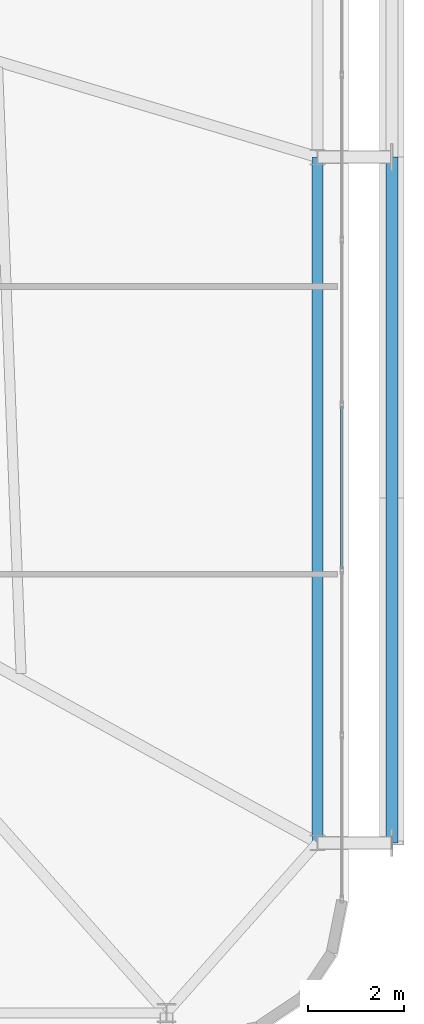
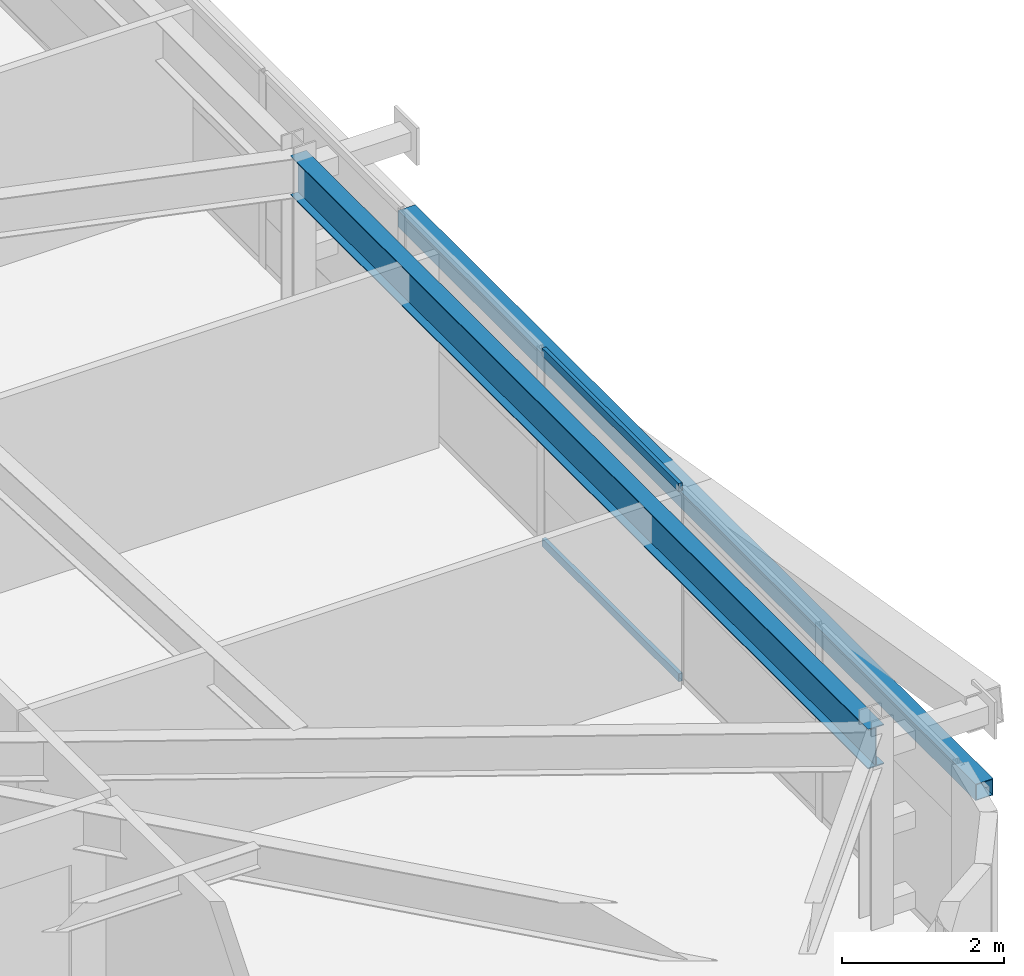
# One storey, part 27 of 59: 3 members, 1 beam, 1 element without a shape of its own.
"""IFC4 building model written with IfcOpenShell, lengths in metres."""

import ifcopenshell
import ifcopenshell.guid

model = None  # the IFC model being written
_history = None  # IfcOwnerHistory: only IFC2X3 demands one
_inside = {}  # id of a spatial element -> (the spatial element, [elements in it])
_under = {}  # id of a project, library or spatial element -> (it, [spatial elements below it])
_declared = {}  # id of a project -> (the project, [libraries it declares])
_typed = {}  # id of a type object -> (the type object, [elements of that type])
_made_of = {}  # id of a material, layer set ... -> (it, [elements and type objects made of it])


def new_model(schema):
    """Start an empty IFC model of exactly this schema.

    Asked for "IFC4X3", IfcOpenShell would pick the latest addendum, in which some entities
    have other attributes; the version numbers below select the first issue.
    IFC2X3 requires an IfcOwnerHistory on every rooted entity: one is made here for all.
    """
    global model, _history
    if schema == "IFC4X3":
        model = ifcopenshell.file(schema_version=(4, 3, 0, 0))
    else:
        model = ifcopenshell.file(schema=schema)
    _inside.clear()
    _under.clear()
    _declared.clear()
    _typed.clear()
    _made_of.clear()
    _history = None
    if model.schema == "IFC2X3":
        org = make("IfcOrganization", Name="unknown")
        user = make(
            "IfcPersonAndOrganization",
            ThePerson=make("IfcPerson", FamilyName="unknown"),
            TheOrganization=org,
        )
        app = make(
            "IfcApplication",
            ApplicationDeveloper=org,
            Version="unknown",
            ApplicationFullName="unknown",
            ApplicationIdentifier="unknown",
        )
        _history = make(
            "IfcOwnerHistory",
            OwningUser=user,
            OwningApplication=app,
            ChangeAction="ADDED",
            CreationDate=0,
        )
    return model


def make(cls, **values):
    """One entity of the class cls with the attributes given. An attribute that is None is left unset."""
    return model.create_entity(
        cls, **{name: value for name, value in values.items() if value is not None}
    )


def rooted(cls, **values):
    """An entity with a GlobalId (a new one), such as an element, a storey or a relation."""
    return make(cls, GlobalId=ifcopenshell.guid.new(), OwnerHistory=_history, **values)


def si_unit(unit_type, name, prefix=None):
    """IfcSIUnit, for example si_unit("LENGTHUNIT", "METRE", prefix="MILLI")."""
    return make("IfcSIUnit", UnitType=unit_type, Prefix=prefix, Name=name)


def assignment(units):
    """IfcUnitAssignment: the units of a project."""
    return None if units is None else make("IfcUnitAssignment", Units=units)


def point(xyz):
    """IfcCartesianPoint."""
    return None if xyz is None else make("IfcCartesianPoint", Coordinates=xyz)


def direction(xyz):
    """IfcDirection."""
    return None if xyz is None else make("IfcDirection", DirectionRatios=xyz)


def frame(location, z_axis=None, x_axis=None):
    """IfcAxis2Placement3D, a coordinate frame: its origin and axes. An axis left out is left unset."""
    return make(
        "IfcAxis2Placement3D",
        Location=point(location),
        Axis=direction(z_axis),
        RefDirection=direction(x_axis),
    )


def frame_2d(location, x_axis=None):
    """IfcAxis2Placement2D, a coordinate frame in the plane: its origin and x axis."""
    return make(
        "IfcAxis2Placement2D", Location=point(location), RefDirection=direction(x_axis)
    )


def origin():
    """The frame at (0, 0, 0) with its axes left unset."""
    return frame((0.0, 0.0, 0.0))


def origin_2d():
    """The frame at (0, 0) in the plane with its x axis left unset."""
    return frame_2d((0.0, 0.0))


def place(relative_to, where):
    """IfcLocalPlacement: puts the frame where relative to a parent placement (None: the world)."""
    return make(
        "IfcLocalPlacement", PlacementRelTo=relative_to, RelativePlacement=where
    )


def context(
    kind, dimensions, precision=None, world=None, true_north=None, identifier=None
):
    """IfcGeometricRepresentationContext, for example the 3D "Model" context."""
    return make(
        "IfcGeometricRepresentationContext",
        ContextIdentifier=identifier,
        ContextType=kind,
        CoordinateSpaceDimension=dimensions,
        Precision=precision,
        WorldCoordinateSystem=world,
        TrueNorth=true_north,
    )


def subcontext(parent, identifier, kind, view, scale=None):
    """IfcGeometricRepresentationSubContext, for example "Body" below "Model"."""
    return make(
        "IfcGeometricRepresentationSubContext",
        ContextIdentifier=identifier,
        ContextType=kind,
        ParentContext=parent,
        TargetScale=scale,
        TargetView=view,
    )


def project(units=None, contexts=None):
    """IfcProject with its units and contexts."""
    return rooted(
        "IfcProject",
        Name="project",
        RepresentationContexts=contexts,
        UnitsInContext=assignment(units),
    )


def spatial(cls, under=None, at=None, **own):
    """A site, building, storey or space (cls), placed at a placement, below another one or the project."""
    s = rooted(cls, ObjectPlacement=at, **own)
    if under is not None:
        _under.setdefault(under.id(), (under, []))[1].append(s)
    return s


def profile(cls, at=None, kind="AREA", **sizes):
    """A parametric profile (cls). Its sizes go by their IFC names, for example OverallWidth=200.0."""
    return make(cls, ProfileType=kind, Position=at, **sizes)


def hollow_rectangle(**sizes):
    """IfcRectangleHollowProfileDef."""
    return profile("IfcRectangleHollowProfileDef", **sizes)


def i_section(**sizes):
    """IfcIShapeProfileDef."""
    return profile("IfcIShapeProfileDef", **sizes)


def extrude(swept, where, along, depth):
    """IfcExtrudedAreaSolid: the profile swept, set in the frame where, extruded along a direction by depth."""
    return make(
        "IfcExtrudedAreaSolid",
        SweptArea=swept,
        Position=where,
        ExtrudedDirection=direction(along),
        Depth=depth,
    )


def shape(context_of_items, identifier, shape_type, items):
    """IfcShapeRepresentation: the items that make up one representation, for example the "Body"."""
    return make(
        "IfcShapeRepresentation",
        ContextOfItems=context_of_items,
        RepresentationIdentifier=identifier,
        RepresentationType=shape_type,
        Items=items,
    )


def source(mapping_origin, context_of_items, identifier, shape_type, items):
    """IfcRepresentationMap: a shape defined once, which mapped items show again and again."""
    return make(
        "IfcRepresentationMap",
        MappingOrigin=mapping_origin,
        MappedRepresentation=shape(context_of_items, identifier, shape_type, items),
    )


def transform(
    local_origin,
    x_axis=None,
    y_axis=None,
    z_axis=None,
    scale=None,
    scale2=None,
    scale3=None,
    uniform=True,
):
    """IfcCartesianTransformationOperator3D, or its non-uniform kind. x_axis, y_axis, z_axis: its Axis1, 2, 3."""
    if uniform:
        return make(
            "IfcCartesianTransformationOperator3D",
            Axis1=direction(x_axis),
            Axis2=direction(y_axis),
            LocalOrigin=point(local_origin),
            Scale=scale,
            Axis3=direction(z_axis),
        )
    return make(
        "IfcCartesianTransformationOperator3DnonUniform",
        Axis1=direction(x_axis),
        Axis2=direction(y_axis),
        LocalOrigin=point(local_origin),
        Scale=scale,
        Axis3=direction(z_axis),
        Scale2=scale2,
        Scale3=scale3,
    )


def mapped(mapping_source, mapping_target):
    """IfcMappedItem: shows the shape of a source again, moved by a transform."""
    return make(
        "IfcMappedItem", MappingSource=mapping_source, MappingTarget=mapping_target
    )


def material(Name=None, Category=None):
    """IfcMaterial."""
    return make("IfcMaterial", Name=Name, Category=Category)


def layer(
    of_material, thickness, ventilated=None, Name=None, Category=None, Priority=None
):
    """IfcMaterialLayer: one layer of a wall or slab, of a material (None: an air gap)."""
    return make(
        "IfcMaterialLayer",
        Material=of_material,
        LayerThickness=thickness,
        IsVentilated=ventilated,
        Name=Name,
        Category=Category,
        Priority=Priority,
    )


def layer_set(layers, Name=None):
    """IfcMaterialLayerSet."""
    return make("IfcMaterialLayerSet", MaterialLayers=layers, LayerSetName=Name)


def material_profile(
    of_material, cross_section, Name=None, Category=None, Priority=None
):
    """IfcMaterialProfile: a cross section and its material."""
    return make(
        "IfcMaterialProfile",
        Name=Name,
        Material=of_material,
        Profile=cross_section,
        Priority=Priority,
        Category=Category,
    )


def profile_set(profiles, Name=None, composite=None):
    """IfcMaterialProfileSet."""
    return make(
        "IfcMaterialProfileSet",
        Name=Name,
        MaterialProfiles=profiles,
        CompositeProfile=composite,
    )


def made_of(thing, what):
    """Note that an element or type object is made of a material, layer set ...; save() writes the relation."""
    if what is not None:
        _made_of.setdefault(what.id(), (what, []))[1].append(thing)
    return thing


def type_object(cls, material=None, **own):
    """A type object (cls), such as IfcWallType, which elements share."""
    return made_of(rooted(cls, **own), material)


def element(
    cls,
    number,
    at=None,
    inside=None,
    cuts=None,
    type_object=None,
    material=None,
    context=None,
    identifier="Body",
    shape_type=None,
    held_by="IfcProductDefinitionShape",
    body=None,
    shapes=None,
    **own,
):
    """One element of the class cls, such as IfcWall. Its Tag is "e" and its number.

    at: its placement. inside: the storey or other place that contains it. cuts: it is an
    opening in that element (IfcRelVoidsElement). A single representation is given by context,
    identifier, shape_type and body (its items); several are given by shapes. held_by: the class
    of the entity that holds the representations. save() writes the other relations.
    """
    e = rooted(cls, Tag="e%d" % number, ObjectPlacement=at, **own)
    if body is not None:
        shapes = [shape(context, identifier, shape_type, body)]
    if shapes is not None:
        e.Representation = make(held_by, Representations=shapes)
    if inside is not None:
        _inside.setdefault(inside.id(), (inside, []))[1].append(e)
    if cuts is not None:
        rooted(
            "IfcRelVoidsElement", RelatingBuildingElement=cuts, RelatedOpeningElement=e
        )
    if type_object is not None:
        _typed.setdefault(type_object.id(), (type_object, []))[1].append(e)
    return made_of(e, material)


def aggregate(whole, parts):
    """IfcRelAggregates: a whole, such as a stair, and the parts it consists of."""
    return rooted("IfcRelAggregates", RelatingObject=whole, RelatedObjects=parts)


def save(model, path):
    """Write the relations noted so far, then the file.

    IfcRelAggregates (storeys below a building ...), IfcRelContainedInSpatialStructure (elements
    in a storey), IfcRelDefinesByType, IfcRelAssociatesMaterial and IfcRelDeclares: one each for
    every whole, place, type object, material and project.
    """
    for whole, parts in _under.values():
        aggregate(whole, parts)
    for where, things in _inside.values():
        rooted(
            "IfcRelContainedInSpatialStructure",
            RelatedElements=things,
            RelatingStructure=where,
        )
    for kind, things in _typed.values():
        rooted("IfcRelDefinesByType", RelatedObjects=things, RelatingType=kind)
    for what, things in _made_of.values():
        rooted("IfcRelAssociatesMaterial", RelatedObjects=things, RelatingMaterial=what)
    for by, libraries in _declared.values():
        rooted("IfcRelDeclares", RelatingContext=by, RelatedDefinitions=libraries)
    model.write(path)


model = new_model("IFC4")

# Units and contexts
model_context = context("Model", 3, precision=1e-05, world=origin(), true_north=direction((0.0, 1.0)))
body_context = subcontext(model_context, "Body", "Model", "MODEL_VIEW")
ifc_project = project(units=[si_unit("LENGTHUNIT", "METRE"), si_unit("AREAUNIT", "SQUARE_METRE"), si_unit("VOLUMEUNIT", "CUBIC_METRE"), si_unit("PLANEANGLEUNIT", "RADIAN"), si_unit("MASSUNIT", "GRAM", prefix="KILO")], contexts=[model_context])

# Site, building, storey
site_placement = place(None, origin())
site = spatial("IfcSite", under=ifc_project, at=site_placement, CompositionType="ELEMENT")
building_placement = place(site_placement, origin())
building = spatial("IfcBuilding", under=site, at=building_placement, Name="Taldren Reach Tower", CompositionType="ELEMENT")
storey_placement = place(building_placement, frame((0.0, 0.0, 26.25)))
storey = spatial("IfcBuildingStorey", under=building, at=storey_placement, Name="L07", CompositionType="ELEMENT", Elevation=26.25)

# Beam
ifc_material_1 = material(Name="Steel Gr 350 (350PLUS)", Category="steel")
ifc_material_profile_1 = material_profile(ifc_material_1, i_section(OverallWidth=0.22802734375, OverallDepth=0.60205078125, WebThickness=0.010498046875, FlangeThickness=0.014892578125, at=origin_2d()), Name="610UB101")
ifc_profile_set_1 = profile_set([ifc_material_profile_1], Name="Steel Gr 350 (350PLUS)")
beam_type = type_object("IfcBeamType", Name="BM-UB610B", PredefinedType="BEAM", material=ifc_profile_set_1)
shared_shape_1 = source(origin(), body_context, "Body", "SweptSolid", [
    extrude(i_section(OverallWidth=0.22802734375, OverallDepth=0.60205078125, WebThickness=0.010498046875, FlangeThickness=0.014892578125, at=origin_2d()), origin(), (0.0, 0.0, 1.0), 14.300048828125),
])
beam_placement = place(storey_placement, frame((64.35009765625, 5.699951171875, 2.62890625), z_axis=(0.0, 1.0, 0.0), x_axis=(-1.0, 0.0, 0.0)))
element("IfcBeam", 1, at=beam_placement, inside=storey, type_object=beam_type, Name="Perimeter gable girder B1 E1-E2 L07", PredefinedType="BEAM", context=body_context, shape_type="MappedRepresentation", body=[
    mapped(shared_shape_1, transform((0.0, 0.0, 0.0), scale=1.0)),
])

# Member
ifc_material_2 = material(Name="Steel Gr 350 (C350L0)", Category="steel")
ifc_material_profile_2 = material_profile(ifc_material_2, hollow_rectangle(XDim=0.25, YDim=0.25, WallThickness=0.010009765625, at=origin_2d()), Name="250x250x10.0SHS")
ifc_profile_set_2 = profile_set([ifc_material_profile_2], Name="Steel Gr 350 (C350L0)")
member_type_1 = type_object("IfcMemberType", Name="MB-POST250", PredefinedType="POST", material=ifc_profile_set_2)
shared_shape_2 = source(origin(), body_context, "Body", "SweptSolid", [
    extrude(hollow_rectangle(XDim=0.25, YDim=0.25, WallThickness=0.010009765625, at=origin_2d()), origin(), (0.0, 0.0, 1.0), 14.300048828125),
])
member_1_placement = place(storey_placement, frame((65.89990234375, 5.699951171875, 1.43505859375), z_axis=(0.0, 1.0, 0.0), x_axis=(-1.0, 0.0, 0.0)))
element("IfcMember", 2, at=member_1_placement, inside=storey, type_object=member_type_1, Name="Exoskeleton mid-height ring chord B1-E1 L07", PredefinedType="POST", context=body_context, shape_type="MappedRepresentation", body=[
    mapped(shared_shape_2, transform((0.0, 0.0, 0.0), scale=1.0)),
])

# Curtain wall, members
ifc_material_3 = material(Name="Aluminium and Low-E Glass Unitised System", Category="aluminium")
ifc_layer = layer(ifc_material_3, 0.159912109375)
ifc_layer_set = layer_set([ifc_layer], Name="Aluminium and Low-E Glass Unitised System")
curtain_wall_type = type_object("IfcCurtainWallType", Name="CW-SYS-2", PredefinedType="NOTDEFINED", material=ifc_layer_set)
curtain_wall_placement = place(storey_placement, origin())
curtain_wall = element("IfcCurtainWall", 3, at=curtain_wall_placement, inside=storey, type_object=curtain_wall_type, Name="Unitised curtain wall CW-L07-E", PredefinedType="NOTDEFINED")
ifc_material_4 = material(Name="Anodised Aluminium 6063-T6", Category="aluminium")
ifc_material_profile_3 = material_profile(ifc_material_4, hollow_rectangle(XDim=0.054931640625, YDim=0.1201171875, WallThickness=0.0029296875, at=origin_2d()), Name="ALU-120x55x3RHS")
ifc_profile_set_3 = profile_set([ifc_material_profile_3], Name="Anodised Aluminium 6063-T6")
member_type_2 = type_object("IfcMemberType", Name="CW-TRN-135", PredefinedType="USERDEFINED", material=ifc_profile_set_3)
shared_shape_3 = source(origin(), body_context, "Body", "SweptSolid", [
    extrude(hollow_rectangle(XDim=0.054931640625, YDim=0.1201171875, WallThickness=0.0029296875, at=origin_2d()), origin(), (0.0, 0.0, 1.0), 3.37939453125),
])
member_2_placement = place(storey_placement, frame((64.860107421875, 11.42138671875, 0.027587890625), z_axis=(0.0, 1.0, 0.0), x_axis=(-1.0, 0.0, 0.0)))
member_2 = element("IfcMember", 4, at=member_2_placement, type_object=member_type_2, Name="CW-2 transom 3.1", ObjectType="TRANSOM", PredefinedType="USERDEFINED", context=body_context, shape_type="MappedRepresentation", body=[
    mapped(shared_shape_3, transform((0.0, 0.0, 0.0), scale=1.0)),
])
member_3_placement = place(storey_placement, frame((64.860107421875, 11.42138671875, 2.902587890625), z_axis=(0.0, 1.0, 0.0), x_axis=(-1.0, 0.0, 0.0)))
member_3 = element("IfcMember", 5, at=member_3_placement, type_object=member_type_2, Name="CW-2 transom 3.2", ObjectType="TRANSOM", PredefinedType="USERDEFINED", context=body_context, shape_type="MappedRepresentation", body=[
    mapped(shared_shape_3, transform((0.0, 0.0, 0.0), scale=1.0)),
])
aggregate(curtain_wall, [member_2, member_3])

save(model, "model.ifc")
